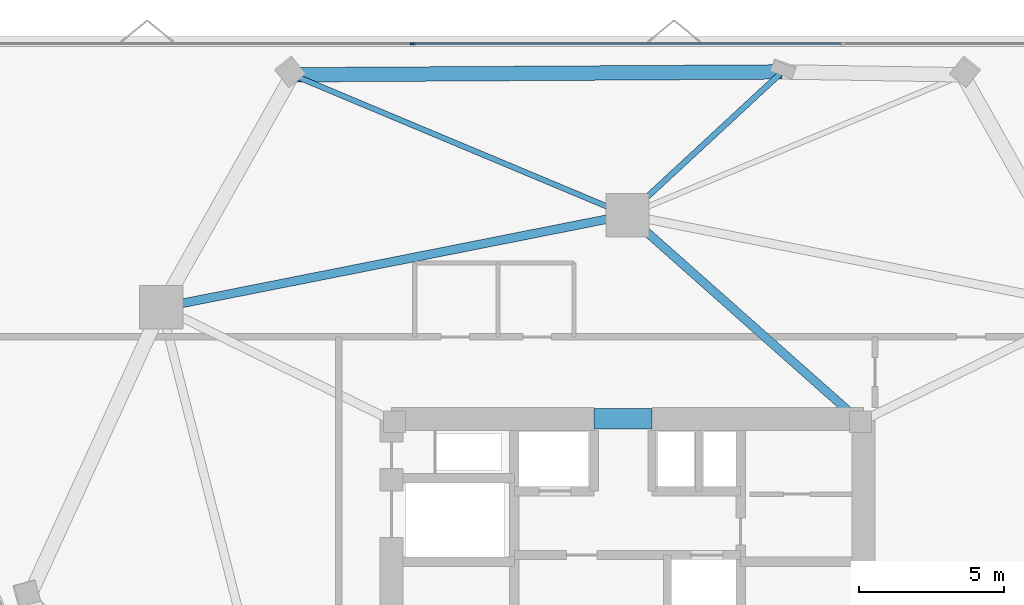
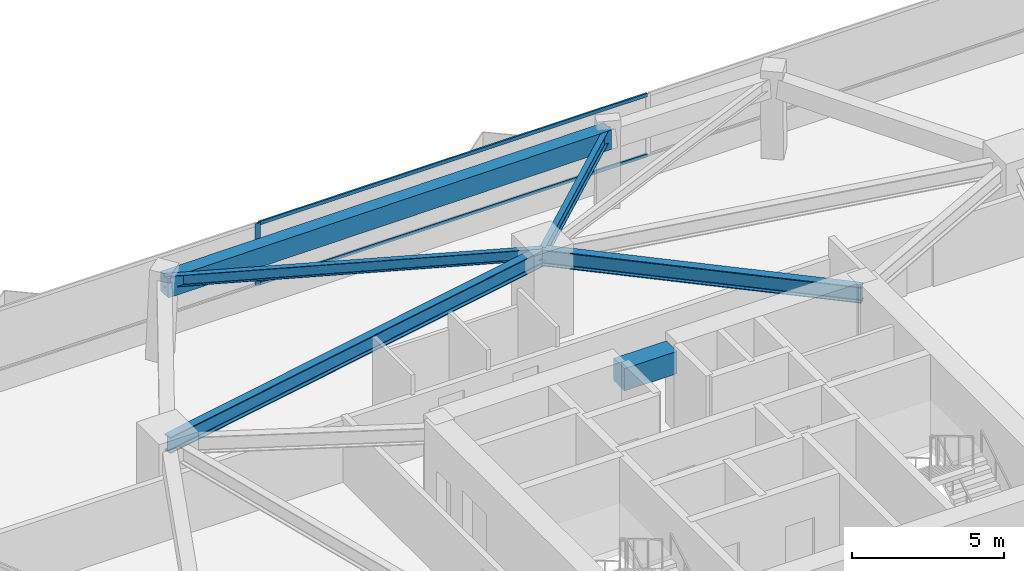
# One storey, part 6 of 13: 6 beams, 3 members, 1 element without a shape of its own.
"""IFC4 building model written with IfcOpenShell, lengths in metres."""

from ifc_helpers import new_model, si_unit, direction, frame, origin, origin_2d, place, context, subcontext, project, spatial, rectangle, i_section, extrude, material, layer, layer_set, material_profile, profile_set, type_object, element, aggregate, save


model = new_model("IFC4")

# Units and contexts
model_context = context("Model", 3, precision=1e-05, world=origin(), true_north=direction((0.0, 1.0)))
body_context = subcontext(model_context, "Body", "Model", "MODEL_VIEW")
ifc_project = project(units=[si_unit("LENGTHUNIT", "METRE"), si_unit("AREAUNIT", "SQUARE_METRE"), si_unit("VOLUMEUNIT", "CUBIC_METRE"), si_unit("PLANEANGLEUNIT", "RADIAN"), si_unit("MASSUNIT", "GRAM", prefix="KILO")], contexts=[model_context])

# Site, building, storey
site_placement = place(None, origin())
site = spatial("IfcSite", under=ifc_project, at=site_placement, CompositionType="ELEMENT")
building_placement = place(site_placement, origin())
building = spatial("IfcBuilding", under=site, at=building_placement, Name="Talyreon Biosciences Tower", CompositionType="ELEMENT")
storey_placement = place(building_placement, frame((0.0, 0.0, 167.35009765625)))
storey = spatial("IfcBuildingStorey", under=building, at=storey_placement, Name="L44", CompositionType="ELEMENT", Elevation=167.35009765625)

# Curtain wall, members
ifc_material_1 = material(Name="Thermally broken aluminium and low-E glazing", Category="aluminium")
ifc_layer = layer(ifc_material_1, 0.18505859375)
ifc_layer_set = layer_set([ifc_layer], Name="Thermally broken aluminium and low-E glazing")
curtain_wall_type = type_object("IfcCurtainWallType", Name="CurtainWall_Zone3Bioprocess", PredefinedType="NOTDEFINED", material=ifc_layer_set)
curtain_wall_placement = place(storey_placement, origin())
curtain_wall = element("IfcCurtainWall", 1, at=curtain_wall_placement, inside=storey, type_object=curtain_wall_type, Name="L44 Unitised Curtain Wall FCW-L44-04", PredefinedType="NOTDEFINED")
ifc_material_2 = material(Name="Anodised thermally broken aluminium", Category="aluminium")
ifc_material_profile_1 = material_profile(ifc_material_2, rectangle(XDim=0.06494140625, YDim=0.179931640625, at=origin_2d()), Name="ALUM MULLION 65x180")
ifc_profile_set_1 = profile_set([ifc_material_profile_1], Name="Anodised thermally broken aluminium")
member_type_1 = type_object("IfcMemberType", Name="CWMullion_65x180", PredefinedType="MULLION", material=ifc_profile_set_1)
member_1_placement = place(storey_placement, frame((58.57958984375, 87.705810546875, 0.809814453125), z_axis=(0.0, 0.0, 1.0), x_axis=(0.0, 1.0, 0.0)))
member_1 = element("IfcMember", 2, at=member_1_placement, type_object=member_type_1, Name="CW4 mullion 2", PredefinedType="MULLION", context=body_context, shape_type="SweptSolid", body=[
    extrude(rectangle(XDim=0.06494140625, YDim=0.179931640625, at=origin_2d()), origin(), (0.0, 0.0, 1.0), 2.489990234375),
])
ifc_material_profile_2 = material_profile(ifc_material_2, rectangle(XDim=0.06494140625, YDim=0.139892578125, at=origin_2d()), Name="ALUM TRANSOM 65x140")
ifc_profile_set_2 = profile_set([ifc_material_profile_2], Name="Anodised thermally broken aluminium")
member_type_2 = type_object("IfcMemberType", Name="CWTransom_65x140", PredefinedType="USERDEFINED", material=ifc_profile_set_2)
member_2_placement = place(storey_placement, frame((58.612060546875, 87.705810546875, 0.84228515625), z_axis=(1.0, 0.0, 0.0), x_axis=(0.0, 1.0, 0.0)))
member_2 = element("IfcMember", 3, at=member_2_placement, type_object=member_type_2, Name="CW4 transom 2.1", ObjectType="TRANSOM", PredefinedType="USERDEFINED", context=body_context, shape_type="SweptSolid", body=[
    extrude(rectangle(XDim=0.06494140625, YDim=0.139892578125, at=origin_2d()), origin(), (0.0, 0.0, 1.0), 14.77587890625),
])
member_3_placement = place(storey_placement, frame((58.612060546875, 87.705810546875, 3.267333984375), z_axis=(1.0, 0.0, 0.0), x_axis=(0.0, 1.0, 0.0)))
member_3 = element("IfcMember", 4, at=member_3_placement, type_object=member_type_2, Name="CW4 transom 2.2", ObjectType="TRANSOM", PredefinedType="USERDEFINED", context=body_context, shape_type="SweptSolid", body=[
    extrude(rectangle(XDim=0.06494140625, YDim=0.139892578125, at=origin_2d()), origin(), (0.0, 0.0, 1.0), 14.77587890625),
])
aggregate(curtain_wall, [member_1, member_2, member_3])

# Beams
ifc_material_3 = material(Name="Concrete C60/75", Category="concrete")
ifc_material_profile_3 = material_profile(ifc_material_3, rectangle(XDim=0.699951171875, YDim=0.89990234375, at=origin_2d()), Name="RCB 700x900")
ifc_profile_set_3 = profile_set([ifc_material_profile_3], Name="Concrete C60/75")
beam_type_1 = type_object("IfcBeamType", Name="CoreCouplingLintel_700x900", PredefinedType="LINTEL", material=ifc_profile_set_3)
beam_1_placement = place(storey_placement, frame((64.85009765625, 74.75, 2.849853515625), z_axis=(1.0, 0.0, 0.0), x_axis=(0.0, 1.0, 0.0)))
element("IfcBeam", 5, at=beam_1_placement, inside=storey, type_object=beam_type_1, Name="L44 Core Coupling Lintel", PredefinedType="LINTEL", context=body_context, shape_type="SweptSolid", body=[
    extrude(rectangle(XDim=0.699951171875, YDim=0.89990234375, at=origin_2d()), origin(), (0.0, 0.0, 1.0), 2.0),
])
ifc_material_4 = material(Name="Precast concrete C45/55", Category="concrete")
ifc_material_profile_4 = material_profile(ifc_material_4, rectangle(XDim=0.5, YDim=0.780029296875, at=origin_2d()), Name="RCB 500x780")
ifc_profile_set_4 = profile_set([ifc_material_profile_4], Name="Precast concrete C45/55")
beam_type_2 = type_object("IfcBeamType", Name="ExpressedSpandrel_500x780", PredefinedType="SPANDREL", material=ifc_profile_set_4)
beam_2_placement = place(storey_placement, frame((71.3427734375, 86.735595703125, 2.909912109375), z_axis=(-0.999982583883, -0.005901858278, 0.0), x_axis=(0.005901858278, -0.999982583883, 0.0)))
element("IfcBeam", 6, at=beam_2_placement, inside=storey, type_object=beam_type_2, Name="L44 Expressed Horizontal Concrete Spandrel 07", PredefinedType="SPANDREL", context=body_context, shape_type="SweptSolid", body=[
    extrude(rectangle(XDim=0.5, YDim=0.780029296875, at=origin_2d()), origin(), (0.0, 0.0, 1.0), 16.9189453125),
])
ifc_material_5 = material(Name="Steel SM355", Category="steel")
ifc_material_profile_5 = material_profile(ifc_material_5, i_section(OverallWidth=0.300048828125, OverallDepth=0.64990234375, WebThickness=0.01611328125, FlangeThickness=0.031005859375, FilletRadius=0.027099609375, at=origin_2d()), Name="HE650B")
ifc_profile_set_5 = profile_set([ifc_material_profile_5], Name="Steel SM355")
beam_type_3 = type_object("IfcBeamType", Name="SteelBeam_HE650B", PredefinedType="BEAM", material=ifc_profile_set_5)
beam_3_placement = place(storey_placement, frame((66.0, 81.788818359375, 2.974853515625), z_axis=(-0.980933730698, -0.194342522311, 0.0), x_axis=(0.194342522311, -0.980933730698, 0.0)))
element("IfcBeam", 7, at=beam_3_placement, inside=storey, type_object=beam_type_3, Name="L44 Mega-Ring Girder 4", PredefinedType="BEAM", context=body_context, shape_type="SweptSolid", body=[
    extrude(i_section(OverallWidth=0.300048828125, OverallDepth=0.64990234375, WebThickness=0.01611328125, FlangeThickness=0.031005859375, FilletRadius=0.027099609375, at=origin_2d()), origin(), (0.0, 0.0, 1.0), 16.415283203125),
])
beam_4_placement = place(storey_placement, frame((74.050048828125, 74.64990234375, 2.974853515625), z_axis=(-0.748178733955, 0.663497235908, 0.0), x_axis=(-0.663497235908, -0.748178733955, 0.0)))
element("IfcBeam", 8, at=beam_4_placement, inside=storey, type_object=beam_type_3, Name="L44 Radial Primary Girder 4", PredefinedType="BEAM", context=body_context, shape_type="SweptSolid", body=[
    extrude(i_section(OverallWidth=0.300048828125, OverallDepth=0.64990234375, WebThickness=0.01611328125, FlangeThickness=0.031005859375, FilletRadius=0.027099609375, at=origin_2d()), origin(), (0.0, 0.0, 1.0), 10.759521484375),
])
ifc_material_profile_6 = material_profile(ifc_material_5, i_section(OverallWidth=0.18994140625, OverallDepth=0.449951171875, WebThickness=0.009521484375, FlangeThickness=0.0146484375, FilletRadius=0.02099609375, at=origin_2d()), Name="IPE450")
ifc_profile_set_6 = profile_set([ifc_material_profile_6], Name="Steel SM355")
beam_type_4 = type_object("IfcBeamType", Name="SteelJoist_IPE450", PredefinedType="JOIST", material=ifc_profile_set_6)
beam_5_placement = place(storey_placement, frame((66.0, 81.788818359375, 3.074951171875), z_axis=(-0.922407305261, 0.386218543316, 0.0), x_axis=(-0.386218543316, -0.922407305261, 0.0)))
element("IfcBeam", 9, at=beam_5_placement, inside=storey, type_object=beam_type_4, Name="L44 Radial Composite Floor Joist PC-N2", PredefinedType="JOIST", context=body_context, shape_type="SweptSolid", body=[
    extrude(i_section(OverallWidth=0.18994140625, OverallDepth=0.449951171875, WebThickness=0.009521484375, FlangeThickness=0.0146484375, FilletRadius=0.02099609375, at=origin_2d()), origin(), (0.0, 0.0, 1.0), 12.5498046875),
])
ifc_material_profile_7 = material_profile(ifc_material_5, i_section(OverallWidth=0.199951171875, OverallDepth=0.5, WebThickness=0.01025390625, FlangeThickness=0.01611328125, FilletRadius=0.02099609375, at=origin_2d()), Name="IPE500")
ifc_profile_set_7 = profile_set([ifc_material_profile_7], Name="Steel SM355")
beam_type_5 = type_object("IfcBeamType", Name="SteelJoist_IPE500", PredefinedType="JOIST", material=ifc_profile_set_7)
beam_6_placement = place(storey_placement, frame((66.0, 81.788818359375, 3.0498046875), z_axis=(0.73377677033, 0.679390647068, 0.0), x_axis=(-0.679390647068, 0.73377677033, 0.0)))
element("IfcBeam", 10, at=beam_6_placement, inside=storey, type_object=beam_type_5, Name="L44 Radial Composite Floor Joist PL-N", PredefinedType="JOIST", context=body_context, shape_type="SweptSolid", body=[
    extrude(i_section(OverallWidth=0.199951171875, OverallDepth=0.5, WebThickness=0.01025390625, FlangeThickness=0.01611328125, FilletRadius=0.02099609375, at=origin_2d()), origin(), (0.0, 0.0, 1.0), 7.28125),
])

save(model, "model.ifc")
